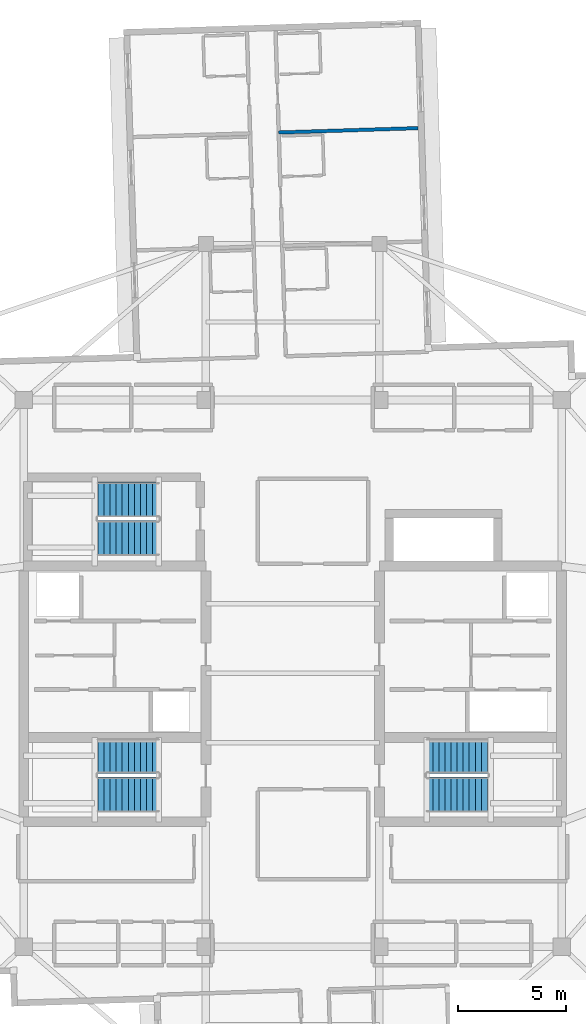
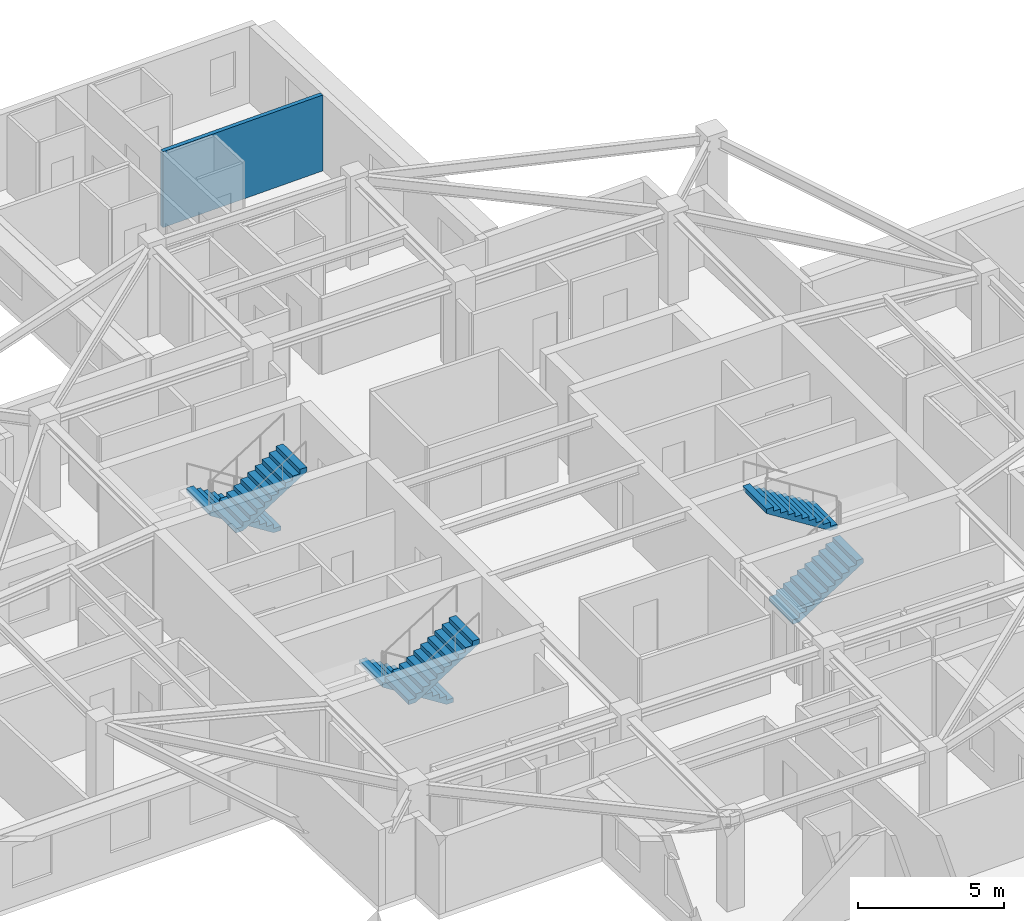
# One storey, part 9 of 13: 6 stair flights, 1 wall, 3 elements without a shape of their own.
"""IFC4 building model written with IfcOpenShell, lengths in metres."""

from ifc_helpers import new_model, si_unit, direction, frame, frame_2d, origin, place, context, subcontext, project, spatial, polyline, rectangle, outline, extrude, material, layer, layer_set, type_object, element, aggregate, save


model = new_model("IFC4")

# Units and contexts
model_context = context("Model", 3, precision=1e-05, world=origin(), true_north=direction((0.0, 1.0)))
body_context = subcontext(model_context, "Body", "Model", "MODEL_VIEW")
ifc_project = project(units=[si_unit("LENGTHUNIT", "METRE"), si_unit("AREAUNIT", "SQUARE_METRE"), si_unit("VOLUMEUNIT", "CUBIC_METRE"), si_unit("PLANEANGLEUNIT", "RADIAN"), si_unit("MASSUNIT", "GRAM", prefix="KILO")], contexts=[model_context])

# Site, building, storey
site_placement = place(None, origin())
site = spatial("IfcSite", under=ifc_project, at=site_placement, CompositionType="ELEMENT")
building_placement = place(site_placement, origin())
building = spatial("IfcBuilding", under=site, at=building_placement, Name="Qingluan Cross Belvedere", CompositionType="ELEMENT")
storey_placement = place(building_placement, frame((0.0, 0.0, 273.300048828125)))
storey = spatial("IfcBuildingStorey", under=building, at=storey_placement, Name="L68", CompositionType="ELEMENT", Elevation=273.300048828125)

# Wall
ifc_material_1 = material(Name="Gypsum plasterboard on steel stud acoustic partition", Category="steel")
ifc_layer_1 = layer(ifc_material_1, 0.159912109375, Name="CorridorPartition_160")
ifc_layer_set_1 = layer_set([ifc_layer_1], Name="Gypsum plasterboard on steel stud acoustic partition")
wall_type = type_object("IfcWallType", Name="CorridorPartition_160", PredefinedType="PARTITIONING", material=ifc_layer_set_1)
wall_placement = place(storey_placement, frame((-0.6435546875, 24.93310546875, 0.0), z_axis=(0.0, 0.0, 1.0), x_axis=(0.99950602143, 0.031427903609, 0.0)))
element("IfcWall", 1, at=wall_placement, inside=storey, type_object=wall_type, Name="Partition L68:N:d0_1", PredefinedType="PARTITIONING", context=body_context, shape_type="SweptSolid", body=[
    extrude(rectangle(XDim=6.43212890625, YDim=0.159912109375, at=frame_2d((3.216064453125, 0.0))), origin(), (0.0, 0.0, 1.0), 3.169921875),
])

# Stair, stair flights
ifc_material_2 = material(Name="Concrete C40", Category="concrete")
stair_type = type_object("IfcStairType", Name="CoreDoglegStair_1620", PredefinedType="HALF_TURN_STAIR", material=ifc_material_2)
stair_1_placement = place(storey_placement, origin())
stair_1 = element("IfcStair", 2, at=stair_1_placement, inside=storey, type_object=stair_type, Name="L68 ST1", PredefinedType="HALF_TURN_STAIR")
ifc_material_3 = material(Name="Concrete C40", Category="concrete")
ifc_layer_2 = layer(ifc_material_3, 0.179931640625, Name="StairFlight_RC180")
ifc_layer_set_2 = layer_set([ifc_layer_2], Name="Concrete C40")
stair_flight_type = type_object("IfcStairFlightType", Name="StairFlight_RC180", PredefinedType="STRAIGHT", material=ifc_layer_set_2)
stair_flight_1_placement = place(storey_placement, frame((-6.179931640625, -3.81005859375, 0.0), z_axis=(0.0, 0.0, 1.0), x_axis=(-1.0, 0.0, 0.0)))
stair_flight_1 = element("IfcStairFlight", 3, at=stair_flight_1_placement, type_object=stair_flight_type, Name="ST1 flight 1", NumberOfRisers=11, NumberOfTreads=10, PredefinedType="STRAIGHT", RiserHeight=0.177272727, TreadLength=0.28, context=body_context, shape_type="SweptSolid", body=[
    extrude(outline(polyline([(0.0, 0.0), (0.0, 0.17724609375), (0.280029296875, 0.17724609375), (0.280029296875, 0.3544921875), (0.56005859375, 0.3544921875), (0.56005859375, 0.53173828125), (0.840087890625, 0.53173828125), (0.840087890625, 0.708984375), (1.1201171875, 0.708984375), (1.1201171875, 0.886474609375), (1.39990234375, 0.886474609375), (1.39990234375, 1.063720703125), (1.679931640625, 1.063720703125), (1.679931640625, 1.240966796875), (1.9599609375, 1.240966796875), (1.9599609375, 1.418212890625), (2.239990234375, 1.418212890625), (2.239990234375, 1.595458984375), (2.52001953125, 1.595458984375), (2.52001953125, 1.772705078125), (2.800048828125, 1.772705078125), (2.800048828125, 1.949951171875), (2.800048828125, 1.59521484375), (0.2802734375, 0.0), (0.0, 0.0)])), frame((0.0, 0.81005859375, 0.0), z_axis=(0.0, -1.0, 0.0), x_axis=(1.0, 0.0, 0.0)), (0.0, 0.0, 1.0), 1.6201171875),
])
stair_flight_2_placement = place(storey_placement, frame((-8.97998046875, -5.590087890625, 1.949951171875), z_axis=(0.0, 0.0, 1.0), x_axis=(1.0, 0.0, 0.0)))
stair_flight_2 = element("IfcStairFlight", 4, at=stair_flight_2_placement, type_object=stair_flight_type, Name="ST1 flight 2", NumberOfRisers=11, NumberOfTreads=10, PredefinedType="STRAIGHT", RiserHeight=0.177272727, TreadLength=0.28, context=body_context, shape_type="SweptSolid", body=[
    extrude(outline(polyline([(0.0, 0.0), (0.0, 0.17724609375), (0.280029296875, 0.17724609375), (0.280029296875, 0.3544921875), (0.56005859375, 0.3544921875), (0.56005859375, 0.53173828125), (0.840087890625, 0.53173828125), (0.840087890625, 0.708984375), (1.1201171875, 0.708984375), (1.1201171875, 0.886474609375), (1.39990234375, 0.886474609375), (1.39990234375, 1.063720703125), (1.679931640625, 1.063720703125), (1.679931640625, 1.240966796875), (1.9599609375, 1.240966796875), (1.9599609375, 1.418212890625), (2.239990234375, 1.418212890625), (2.239990234375, 1.595458984375), (2.52001953125, 1.595458984375), (2.52001953125, 1.772705078125), (2.800048828125, 1.772705078125), (2.800048828125, 1.949951171875), (2.800048828125, 1.59521484375), (0.2802734375, 0.0), (0.0, 0.0)])), frame((0.0, 0.81005859375, 0.0), z_axis=(0.0, -1.0, 0.0), x_axis=(1.0, 0.0, 0.0)), (0.0, 0.0, 1.0), 1.6201171875),
])
aggregate(stair_1, [stair_flight_1, stair_flight_2])

stair_2_placement = place(storey_placement, origin())
stair_2 = element("IfcStair", 5, at=stair_2_placement, inside=storey, type_object=stair_type, Name="L68 ST2", PredefinedType="HALF_TURN_STAIR")
stair_flight_3_placement = place(storey_placement, frame((6.179931640625, -5.590087890625, 0.0), z_axis=(0.0, 0.0, 1.0), x_axis=(1.0, 0.0, 0.0)))
stair_flight_3 = element("IfcStairFlight", 6, at=stair_flight_3_placement, type_object=stair_flight_type, Name="ST2 flight 1", NumberOfRisers=11, NumberOfTreads=10, PredefinedType="STRAIGHT", RiserHeight=0.177272727, TreadLength=0.28, context=body_context, shape_type="SweptSolid", body=[
    extrude(outline(polyline([(0.0, 0.0), (0.0, 0.17724609375), (0.280029296875, 0.17724609375), (0.280029296875, 0.3544921875), (0.56005859375, 0.3544921875), (0.56005859375, 0.53173828125), (0.840087890625, 0.53173828125), (0.840087890625, 0.708984375), (1.1201171875, 0.708984375), (1.1201171875, 0.886474609375), (1.39990234375, 0.886474609375), (1.39990234375, 1.063720703125), (1.679931640625, 1.063720703125), (1.679931640625, 1.240966796875), (1.9599609375, 1.240966796875), (1.9599609375, 1.418212890625), (2.239990234375, 1.418212890625), (2.239990234375, 1.595458984375), (2.52001953125, 1.595458984375), (2.52001953125, 1.772705078125), (2.800048828125, 1.772705078125), (2.800048828125, 1.949951171875), (2.800048828125, 1.59521484375), (0.2802734375, 0.0), (0.0, 0.0)])), frame((0.0, 0.81005859375, 0.0), z_axis=(0.0, -1.0, 0.0), x_axis=(1.0, 0.0, 0.0)), (0.0, 0.0, 1.0), 1.6201171875),
])
stair_flight_4_placement = place(storey_placement, frame((8.97998046875, -3.81005859375, 1.949951171875), z_axis=(0.0, 0.0, 1.0), x_axis=(-1.0, 0.0, 0.0)))
stair_flight_4 = element("IfcStairFlight", 7, at=stair_flight_4_placement, type_object=stair_flight_type, Name="ST2 flight 2", NumberOfRisers=11, NumberOfTreads=10, PredefinedType="STRAIGHT", RiserHeight=0.177272727, TreadLength=0.28, context=body_context, shape_type="SweptSolid", body=[
    extrude(outline(polyline([(0.0, 0.0), (0.0, 0.17724609375), (0.280029296875, 0.17724609375), (0.280029296875, 0.3544921875), (0.56005859375, 0.3544921875), (0.56005859375, 0.53173828125), (0.840087890625, 0.53173828125), (0.840087890625, 0.708984375), (1.1201171875, 0.708984375), (1.1201171875, 0.886474609375), (1.39990234375, 0.886474609375), (1.39990234375, 1.063720703125), (1.679931640625, 1.063720703125), (1.679931640625, 1.240966796875), (1.9599609375, 1.240966796875), (1.9599609375, 1.418212890625), (2.239990234375, 1.418212890625), (2.239990234375, 1.595458984375), (2.52001953125, 1.595458984375), (2.52001953125, 1.772705078125), (2.800048828125, 1.772705078125), (2.800048828125, 1.949951171875), (2.800048828125, 1.59521484375), (0.2802734375, 0.0), (0.0, 0.0)])), frame((0.0, 0.81005859375, 0.0), z_axis=(0.0, -1.0, 0.0), x_axis=(1.0, 0.0, 0.0)), (0.0, 0.0, 1.0), 1.6201171875),
])
aggregate(stair_2, [stair_flight_3, stair_flight_4])

stair_3_placement = place(storey_placement, origin())
stair_3 = element("IfcStair", 8, at=stair_3_placement, inside=storey, type_object=stair_type, Name="L68 ST3", PredefinedType="HALF_TURN_STAIR")
stair_flight_5_placement = place(storey_placement, frame((-6.179931640625, 8.010009765625, 0.0), z_axis=(0.0, 0.0, 1.0), x_axis=(-1.0, 0.0, 0.0)))
stair_flight_5 = element("IfcStairFlight", 9, at=stair_flight_5_placement, type_object=stair_flight_type, Name="ST3 flight 1", NumberOfRisers=11, NumberOfTreads=10, PredefinedType="STRAIGHT", RiserHeight=0.177272727, TreadLength=0.28, context=body_context, shape_type="SweptSolid", body=[
    extrude(outline(polyline([(0.0, 0.0), (0.0, 0.17724609375), (0.280029296875, 0.17724609375), (0.280029296875, 0.3544921875), (0.56005859375, 0.3544921875), (0.56005859375, 0.53173828125), (0.840087890625, 0.53173828125), (0.840087890625, 0.708984375), (1.1201171875, 0.708984375), (1.1201171875, 0.886474609375), (1.39990234375, 0.886474609375), (1.39990234375, 1.063720703125), (1.679931640625, 1.063720703125), (1.679931640625, 1.240966796875), (1.9599609375, 1.240966796875), (1.9599609375, 1.418212890625), (2.239990234375, 1.418212890625), (2.239990234375, 1.595458984375), (2.52001953125, 1.595458984375), (2.52001953125, 1.772705078125), (2.800048828125, 1.772705078125), (2.800048828125, 1.949951171875), (2.800048828125, 1.59521484375), (0.2802734375, 0.0), (0.0, 0.0)])), frame((0.0, 0.81005859375, 0.0), z_axis=(0.0, -1.0, 0.0), x_axis=(1.0, 0.0, 0.0)), (0.0, 0.0, 1.0), 1.6201171875),
])
stair_flight_6_placement = place(storey_placement, frame((-8.97998046875, 6.22998046875, 1.949951171875), z_axis=(0.0, 0.0, 1.0), x_axis=(1.0, 0.0, 0.0)))
stair_flight_6 = element("IfcStairFlight", 10, at=stair_flight_6_placement, type_object=stair_flight_type, Name="ST3 flight 2", NumberOfRisers=11, NumberOfTreads=10, PredefinedType="STRAIGHT", RiserHeight=0.177272727, TreadLength=0.28, context=body_context, shape_type="SweptSolid", body=[
    extrude(outline(polyline([(0.0, 0.0), (0.0, 0.17724609375), (0.280029296875, 0.17724609375), (0.280029296875, 0.3544921875), (0.56005859375, 0.3544921875), (0.56005859375, 0.53173828125), (0.840087890625, 0.53173828125), (0.840087890625, 0.708984375), (1.1201171875, 0.708984375), (1.1201171875, 0.886474609375), (1.39990234375, 0.886474609375), (1.39990234375, 1.063720703125), (1.679931640625, 1.063720703125), (1.679931640625, 1.240966796875), (1.9599609375, 1.240966796875), (1.9599609375, 1.418212890625), (2.239990234375, 1.418212890625), (2.239990234375, 1.595458984375), (2.52001953125, 1.595458984375), (2.52001953125, 1.772705078125), (2.800048828125, 1.772705078125), (2.800048828125, 1.949951171875), (2.800048828125, 1.59521484375), (0.2802734375, 0.0), (0.0, 0.0)])), frame((0.0, 0.81005859375, 0.0), z_axis=(0.0, -1.0, 0.0), x_axis=(1.0, 0.0, 0.0)), (0.0, 0.0, 1.0), 1.6201171875),
])
aggregate(stair_3, [stair_flight_5, stair_flight_6])

save(model, "model.ifc")
